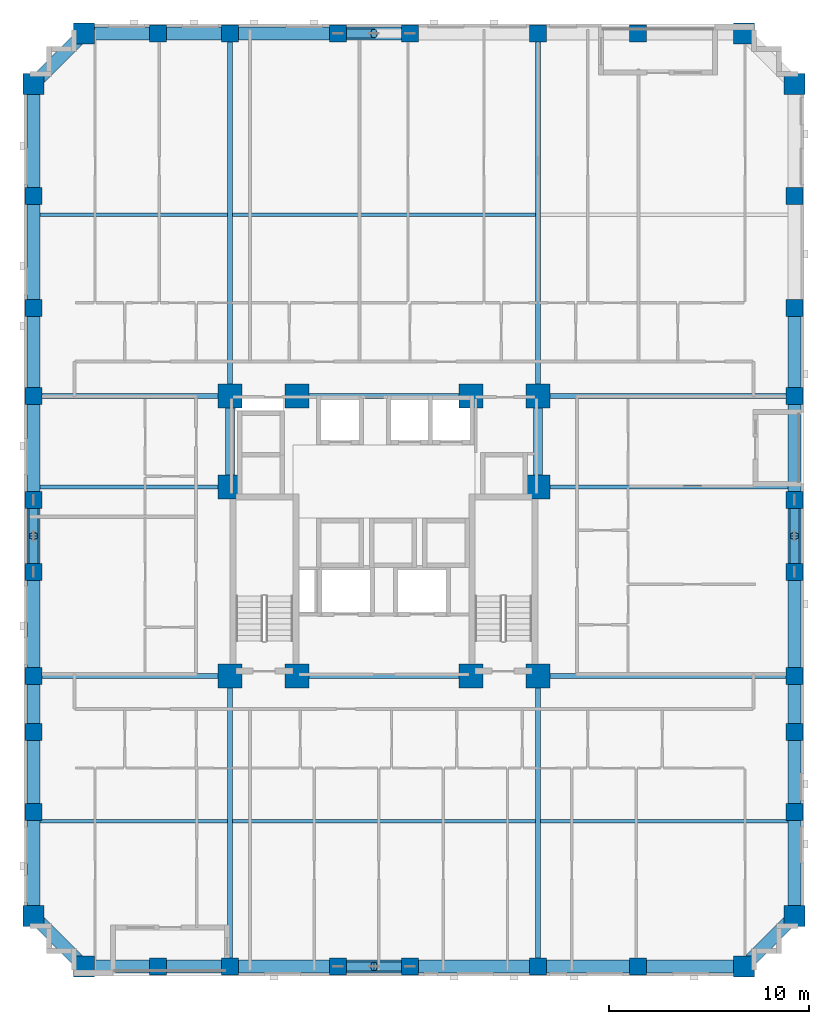
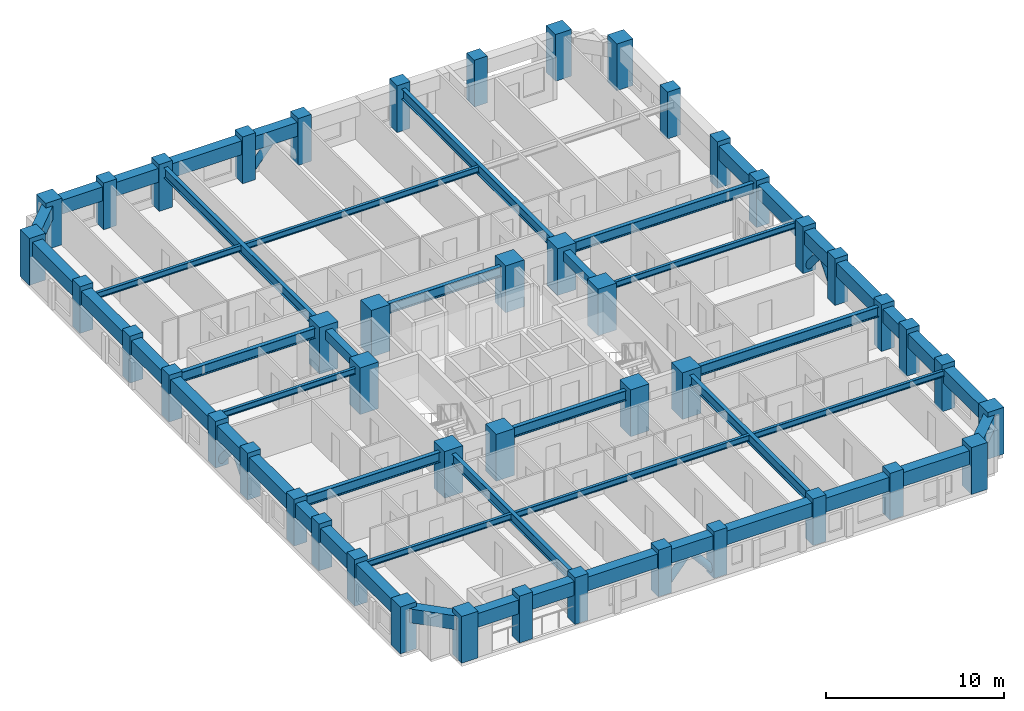
# One storey, part 1 of 14: 49 beams, 46 columns, 7 members.
"""IFC4 building model written with IfcOpenShell, lengths in metres."""

from ifc_helpers import new_model, si_unit, derived_unit, direction, frame, origin, origin_2d, place, context, subcontext, project, spatial, rectangle, hollow_circle, i_section, extrude, material, material_profile, profile_set, type_object, element, save


model = new_model("IFC4")

# Units and contexts
model_context = context("Model", 3, precision=1e-05, world=origin(), true_north=direction((0.0, 1.0)))
body_context = subcontext(model_context, "Body", "Model", "MODEL_VIEW")
ifc_project = project(units=[si_unit("LENGTHUNIT", "METRE"), si_unit("AREAUNIT", "SQUARE_METRE"), si_unit("VOLUMEUNIT", "CUBIC_METRE"), si_unit("PLANEANGLEUNIT", "RADIAN"), si_unit("MASSUNIT", "GRAM", prefix="KILO"), derived_unit("THERMALTRANSMITTANCEUNIT", [(si_unit("MASSUNIT", "GRAM", prefix="KILO"), 1), (si_unit("TIMEUNIT", "SECOND"), -3), (si_unit("THERMODYNAMICTEMPERATUREUNIT", "KELVIN"), -1)])], contexts=[model_context])

# Site, building, storey
site_placement = place(None, origin())
site = spatial("IfcSite", under=ifc_project, at=site_placement, CompositionType="ELEMENT")
building_placement = place(site_placement, origin())
building = spatial("IfcBuilding", under=site, at=building_placement, Name="Korrvale Station Residences", CompositionType="ELEMENT")
storey_placement = place(building_placement, frame((0.0, 0.0, 67.39990234375)))
storey = spatial("IfcBuildingStorey", under=building, at=storey_placement, Name="L18", CompositionType="ELEMENT", Elevation=67.39990234375)

# Columns
ifc_material_1 = material(Name="Concrete C70/85", Category="concrete")
ifc_material_profile_1 = material_profile(ifc_material_1, rectangle(XDim=1.050048828125, YDim=1.050048828125, at=origin_2d()), Name="RC1050x1050")
ifc_profile_set_1 = profile_set([ifc_material_profile_1], Name="Concrete C70/85")
column_type_1 = type_object("IfcColumnType", Name="COL-C-RC1050x1050-C7085", PredefinedType="COLUMN", material=ifc_profile_set_1)
for number, where, z_axis, x_axis, name in (
    (1, (10.5, 0.47998046875, 0.0), (0.0, 0.0, 1.0), (1.0, 0.0, 0.0), "L18 Bundled-Tube South Column 01"),
    (2, (43.5, 0.47998046875, 0.0), (0.0, 0.0, 1.0), (1.0, 0.0, 0.0), "L18 Bundled-Tube South Column 08"),
    (3, (10.5, 47.1201171875, 0.0), (0.0, 0.0, 1.0), (1.0, 0.0, 0.0), "L18 Bundled-Tube North Column 09"),
    (4, (43.5, 47.1201171875, 0.0), (0.0, 0.0, 1.0), (1.0, 0.0, 0.0), "L18 Bundled-Tube North Column 16"),
    (5, (7.97998046875, 3.0, 0.0), (0.0, 0.0, 1.0), (1.0, 0.0, 0.0), "L18 Bundled-Tube West Column 17"),
    (6, (7.97998046875, 44.60009765625, 0.0), (0.0, 0.0, 1.0), (1.0, 0.0, 0.0), "L18 Bundled-Tube West Column 26"),
    (7, (46.02001953125, 3.0, 0.0), (0.0, 0.0, 1.0), (1.0, 0.0, 0.0), "L18 Bundled-Tube East Column 27"),
    (8, (46.02001953125, 44.60009765625, 0.0), (0.0, 0.0, 1.0), (1.0, 0.0, 0.0), "L18 Bundled-Tube East Column 36"),
):
    element("IfcColumn", number, at=place(storey_placement, frame(where, z_axis=z_axis, x_axis=x_axis)), inside=storey, type_object=column_type_1, Name=name, PredefinedType="COLUMN", context=body_context, shape_type="SweptSolid", body=[
        extrude(rectangle(XDim=1.050048828125, YDim=1.050048828125, at=origin_2d()), origin(), (0.0, 0.0, 1.0), 3.2001953125),
    ])
ifc_material_profile_2 = material_profile(ifc_material_1, rectangle(XDim=1.199951171875, YDim=1.199951171875, at=origin_2d()), Name="RC1200x1200")
ifc_profile_set_2 = profile_set([ifc_material_profile_2], Name="Concrete C70/85")
column_type_2 = type_object("IfcColumnType", Name="COL-C-RC1200x1200-C7085", PredefinedType="COLUMN", material=ifc_profile_set_2)
for number, where, z_axis, x_axis, name in (
    (9, (17.800048828125, 15.0, 0.0), (0.0, 0.0, 1.0), (1.0, 0.0, 0.0), "L18 Core Column 01"),
    (10, (21.14990234375, 15.0, 0.0), (0.0, 0.0, 1.0), (1.0, 0.0, 0.0), "L18 Core Column 02"),
    (11, (29.85009765625, 15.0, 0.0), (0.0, 0.0, 1.0), (1.0, 0.0, 0.0), "L18 Core Column 03"),
    (12, (33.199951171875, 15.0, 0.0), (0.0, 0.0, 1.0), (1.0, 0.0, 0.0), "L18 Core Column 04"),
    (13, (17.800048828125, 29.0, 0.0), (0.0, 0.0, 1.0), (1.0, 0.0, 0.0), "L18 Core Column 05"),
    (14, (21.14990234375, 29.0, 0.0), (0.0, 0.0, 1.0), (1.0, 0.0, 0.0), "L18 Core Column 06"),
    (15, (29.85009765625, 29.0, 0.0), (0.0, 0.0, 1.0), (1.0, 0.0, 0.0), "L18 Core Column 07"),
    (16, (33.199951171875, 29.0, 0.0), (0.0, 0.0, 1.0), (1.0, 0.0, 0.0), "L18 Core Column 08"),
    (17, (17.800048828125, 24.449951171875, 0.0), (0.0, 0.0, 1.0), (1.0, 0.0, 0.0), "L18 Core Column 09"),
    (18, (33.199951171875, 24.449951171875, 0.0), (0.0, 0.0, 1.0), (1.0, 0.0, 0.0), "L18 Core Column 10"),
):
    element("IfcColumn", number, at=place(storey_placement, frame(where, z_axis=z_axis, x_axis=x_axis)), inside=storey, type_object=column_type_2, Name=name, PredefinedType="COLUMN", context=body_context, shape_type="SweptSolid", body=[
        extrude(rectangle(XDim=1.199951171875, YDim=1.199951171875, at=origin_2d()), origin(), (0.0, 0.0, 1.0), 3.2001953125),
    ])
ifc_material_profile_3 = material_profile(ifc_material_1, rectangle(XDim=0.85009765625, YDim=0.85009765625, at=origin_2d()), Name="RC850x850")
ifc_profile_set_3 = profile_set([ifc_material_profile_3], Name="Concrete C70/85")
column_type_3 = type_object("IfcColumnType", Name="COL-C-RC850x850-C7085", PredefinedType="COLUMN", material=ifc_profile_set_3)
for number, where, z_axis, x_axis, name in (
    (19, (14.199951171875, 0.47998046875, 0.0), (0.0, 0.0, 1.0), (1.0, 0.0, 0.0), "L18 Bundled-Tube South Column 02"),
    (20, (17.800048828125, 0.47998046875, 0.0), (0.0, 0.0, 1.0), (1.0, 0.0, 0.0), "L18 Bundled-Tube South Column 03"),
    (21, (23.199951171875, 0.47998046875, 0.0), (0.0, 0.0, 1.0), (1.0, 0.0, 0.0), "L18 Bundled-Tube South Column 04"),
    (22, (26.800048828125, 0.47998046875, 0.0), (0.0, 0.0, 1.0), (1.0, 0.0, 0.0), "L18 Bundled-Tube South Column 05"),
    (23, (33.199951171875, 0.47998046875, 0.0), (0.0, 0.0, 1.0), (1.0, 0.0, 0.0), "L18 Bundled-Tube South Column 06"),
    (24, (38.199951171875, 0.47998046875, 0.0), (0.0, 0.0, 1.0), (1.0, 0.0, 0.0), "L18 Bundled-Tube South Column 07"),
    (25, (14.199951171875, 47.1201171875, 0.0), (0.0, 0.0, 1.0), (1.0, 0.0, 0.0), "L18 Bundled-Tube North Column 10"),
    (26, (17.800048828125, 47.1201171875, 0.0), (0.0, 0.0, 1.0), (1.0, 0.0, 0.0), "L18 Bundled-Tube North Column 11"),
    (27, (23.199951171875, 47.1201171875, 0.0), (0.0, 0.0, 1.0), (1.0, 0.0, 0.0), "L18 Bundled-Tube North Column 12"),
    (28, (26.800048828125, 47.1201171875, 0.0), (0.0, 0.0, 1.0), (1.0, 0.0, 0.0), "L18 Bundled-Tube North Column 13"),
    (29, (33.199951171875, 47.1201171875, 0.0), (0.0, 0.0, 1.0), (1.0, 0.0, 0.0), "L18 Bundled-Tube North Column 14"),
    (30, (38.199951171875, 47.1201171875, 0.0), (0.0, 0.0, 1.0), (1.0, 0.0, 0.0), "L18 Bundled-Tube North Column 15"),
    (31, (7.97998046875, 8.199951171875, 0.0), (0.0, 0.0, 1.0), (1.0, 0.0, 0.0), "L18 Bundled-Tube West Column 18"),
    (32, (7.97998046875, 12.199951171875, 0.0), (0.0, 0.0, 1.0), (1.0, 0.0, 0.0), "L18 Bundled-Tube West Column 19"),
    (33, (7.97998046875, 15.0, 0.0), (0.0, 0.0, 1.0), (1.0, 0.0, 0.0), "L18 Bundled-Tube West Column 20"),
    (34, (7.97998046875, 20.199951171875, 0.0), (0.0, 0.0, 1.0), (1.0, 0.0, 0.0), "L18 Bundled-Tube West Column 21"),
    (35, (7.97998046875, 23.800048828125, 0.0), (0.0, 0.0, 1.0), (1.0, 0.0, 0.0), "L18 Bundled-Tube West Column 22"),
    (36, (7.97998046875, 29.0, 0.0), (0.0, 0.0, 1.0), (1.0, 0.0, 0.0), "L18 Bundled-Tube West Column 23"),
    (37, (7.97998046875, 33.39990234375, 0.0), (0.0, 0.0, 1.0), (1.0, 0.0, 0.0), "L18 Bundled-Tube West Column 24"),
    (38, (7.97998046875, 39.0, 0.0), (0.0, 0.0, 1.0), (1.0, 0.0, 0.0), "L18 Bundled-Tube West Column 25"),
    (39, (46.02001953125, 8.199951171875, 0.0), (0.0, 0.0, 1.0), (1.0, 0.0, 0.0), "L18 Bundled-Tube East Column 28"),
    (40, (46.02001953125, 12.199951171875, 0.0), (0.0, 0.0, 1.0), (1.0, 0.0, 0.0), "L18 Bundled-Tube East Column 29"),
    (41, (46.02001953125, 15.0, 0.0), (0.0, 0.0, 1.0), (1.0, 0.0, 0.0), "L18 Bundled-Tube East Column 30"),
    (42, (46.02001953125, 20.199951171875, 0.0), (0.0, 0.0, 1.0), (1.0, 0.0, 0.0), "L18 Bundled-Tube East Column 31"),
    (43, (46.02001953125, 23.800048828125, 0.0), (0.0, 0.0, 1.0), (1.0, 0.0, 0.0), "L18 Bundled-Tube East Column 32"),
    (44, (46.02001953125, 29.0, 0.0), (0.0, 0.0, 1.0), (1.0, 0.0, 0.0), "L18 Bundled-Tube East Column 33"),
    (45, (46.02001953125, 33.39990234375, 0.0), (0.0, 0.0, 1.0), (1.0, 0.0, 0.0), "L18 Bundled-Tube East Column 34"),
    (46, (46.02001953125, 39.0, 0.0), (0.0, 0.0, 1.0), (1.0, 0.0, 0.0), "L18 Bundled-Tube East Column 35"),
):
    element("IfcColumn", number, at=place(storey_placement, frame(where, z_axis=z_axis, x_axis=x_axis)), inside=storey, type_object=column_type_3, Name=name, PredefinedType="COLUMN", context=body_context, shape_type="SweptSolid", body=[
        extrude(rectangle(XDim=0.85009765625, YDim=0.85009765625, at=origin_2d()), origin(), (0.0, 0.0, 1.0), 3.2001953125),
    ])

# Beams
ifc_material_2 = material(Name="Steel S355", Category="steel")
ifc_material_profile_4 = material_profile(ifc_material_2, i_section(OverallWidth=0.256103515625, OverallDepth=0.693115234375, WebThickness=0.014404296875, FlangeThickness=0.023681640625, FilletRadius=0.02197265625, at=origin_2d()), Name="W690x170")
ifc_profile_set_4 = profile_set([ifc_material_profile_4], Name="Steel S355")
beam_type_1 = type_object("IfcBeamType", Name="BM-BM-W690x170-S355", PredefinedType="BEAM", material=ifc_profile_set_4)
for number, where, z_axis, x_axis, name in (
    (47, (17.800048828125, 0.47998046875, 2.53369140625), (0.0, 1.0, 0.0), (-1.0, 0.0, 0.0), "L18 Bundled-Tube Web Girder 01"),
    (48, (33.199951171875, 0.47998046875, 2.53369140625), (0.0, 1.0, 0.0), (-1.0, 0.0, 0.0), "L18 Bundled-Tube Web Girder 02"),
):
    element("IfcBeam", number, at=place(storey_placement, frame(where, z_axis=z_axis, x_axis=x_axis)), inside=storey, type_object=beam_type_1, Name=name, PredefinedType="BEAM", context=body_context, shape_type="SweptSolid", body=[
        extrude(i_section(OverallWidth=0.256103515625, OverallDepth=0.693115234375, WebThickness=0.014404296875, FlangeThickness=0.023681640625, FilletRadius=0.02197265625, at=origin_2d()), origin(), (0.0, 0.0, 1.0), 14.52001953125),
    ])
for number, where, z_axis, x_axis, name in (
    (49, (17.800048828125, 29.0, 2.53369140625), (0.0, 1.0, 0.0), (-1.0, 0.0, 0.0), "L18 Bundled-Tube Web Girder 03"),
    (50, (33.199951171875, 29.0, 2.53369140625), (0.0, 1.0, 0.0), (-1.0, 0.0, 0.0), "L18 Bundled-Tube Web Girder 04"),
):
    element("IfcBeam", number, at=place(storey_placement, frame(where, z_axis=z_axis, x_axis=x_axis)), inside=storey, type_object=beam_type_1, Name=name, PredefinedType="BEAM", context=body_context, shape_type="SweptSolid", body=[
        extrude(i_section(OverallWidth=0.256103515625, OverallDepth=0.693115234375, WebThickness=0.014404296875, FlangeThickness=0.023681640625, FilletRadius=0.02197265625, at=origin_2d()), origin(), (0.0, 0.0, 1.0), 18.1201171875),
    ])
beam_1_placement = place(storey_placement, frame((7.97998046875, 15.0, 2.53369140625), z_axis=(1.0, 0.0, 0.0), x_axis=(0.0, 1.0, 0.0)))
element("IfcBeam", 51, at=beam_1_placement, inside=storey, type_object=beam_type_1, Name="L18 Bundled-Tube Web Girder 05", PredefinedType="BEAM", context=body_context, shape_type="SweptSolid", body=[
    extrude(i_section(OverallWidth=0.256103515625, OverallDepth=0.693115234375, WebThickness=0.014404296875, FlangeThickness=0.023681640625, FilletRadius=0.02197265625, at=origin_2d()), origin(), (0.0, 0.0, 1.0), 9.820068359375),
])
beam_2_placement = place(storey_placement, frame((33.199951171875, 15.0, 2.53369140625), z_axis=(1.0, 0.0, 0.0), x_axis=(0.0, 1.0, 0.0)))
element("IfcBeam", 52, at=beam_2_placement, inside=storey, type_object=beam_type_1, Name="L18 Bundled-Tube Web Girder 06", PredefinedType="BEAM", context=body_context, shape_type="SweptSolid", body=[
    extrude(i_section(OverallWidth=0.256103515625, OverallDepth=0.693115234375, WebThickness=0.014404296875, FlangeThickness=0.023681640625, FilletRadius=0.02197265625, at=origin_2d()), origin(), (0.0, 0.0, 1.0), 12.820068359375),
])
beam_3_placement = place(storey_placement, frame((7.97998046875, 29.0, 2.53369140625), z_axis=(1.0, 0.0, 0.0), x_axis=(0.0, 1.0, 0.0)))
element("IfcBeam", 53, at=beam_3_placement, inside=storey, type_object=beam_type_1, Name="L18 Bundled-Tube Web Girder 07", PredefinedType="BEAM", context=body_context, shape_type="SweptSolid", body=[
    extrude(i_section(OverallWidth=0.256103515625, OverallDepth=0.693115234375, WebThickness=0.014404296875, FlangeThickness=0.023681640625, FilletRadius=0.02197265625, at=origin_2d()), origin(), (0.0, 0.0, 1.0), 9.820068359375),
])
beam_4_placement = place(storey_placement, frame((33.199951171875, 29.0, 2.53369140625), z_axis=(1.0, 0.0, 0.0), x_axis=(0.0, 1.0, 0.0)))
element("IfcBeam", 54, at=beam_4_placement, inside=storey, type_object=beam_type_1, Name="L18 Bundled-Tube Web Girder 08", PredefinedType="BEAM", context=body_context, shape_type="SweptSolid", body=[
    extrude(i_section(OverallWidth=0.256103515625, OverallDepth=0.693115234375, WebThickness=0.014404296875, FlangeThickness=0.023681640625, FilletRadius=0.02197265625, at=origin_2d()), origin(), (0.0, 0.0, 1.0), 12.820068359375),
])
for number, where, z_axis, x_axis, name in (
    (55, (21.14990234375, 15.0, 2.53369140625), (1.0, 0.0, 0.0), (0.0, 1.0, 0.0), "L18 Bundled-Tube Web Girder 09"),
    (56, (21.14990234375, 29.0, 2.53369140625), (1.0, 0.0, 0.0), (0.0, 1.0, 0.0), "L18 Bundled-Tube Web Girder 10"),
):
    element("IfcBeam", number, at=place(storey_placement, frame(where, z_axis=z_axis, x_axis=x_axis)), inside=storey, type_object=beam_type_1, Name=name, PredefinedType="BEAM", context=body_context, shape_type="SweptSolid", body=[
        extrude(i_section(OverallWidth=0.256103515625, OverallDepth=0.693115234375, WebThickness=0.014404296875, FlangeThickness=0.023681640625, FilletRadius=0.02197265625, at=origin_2d()), origin(), (0.0, 0.0, 1.0), 8.7001953125),
    ])
ifc_material_profile_5 = material_profile(ifc_material_2, i_section(OverallWidth=0.180908203125, OverallDepth=0.4169921875, WebThickness=0.010986328125, FlangeThickness=0.018310546875, FilletRadius=0.01611328125, at=origin_2d()), Name="W410x85")
ifc_profile_set_5 = profile_set([ifc_material_profile_5], Name="Steel S355")
beam_type_2 = type_object("IfcBeamType", Name="BM-JST-W410x85-S355", PredefinedType="JOIST", material=ifc_profile_set_5)
beam_5_placement = place(storey_placement, frame((8.304931640625, 7.739990234375, 2.671630859375), z_axis=(1.0, 0.0, 0.0), x_axis=(0.0, 1.0, 0.0)))
element("IfcBeam", 57, at=beam_5_placement, inside=storey, type_object=beam_type_2, Name="L18 Floor Framing Joist 01", PredefinedType="JOIST", context=body_context, shape_type="SweptSolid", body=[
    extrude(i_section(OverallWidth=0.180908203125, OverallDepth=0.4169921875, WebThickness=0.010986328125, FlangeThickness=0.018310546875, FilletRadius=0.01611328125, at=origin_2d()), origin(), (0.0, 0.0, 1.0), 9.3671875),
])
beam_6_placement = place(storey_placement, frame((17.927978515625, 7.739990234375, 2.671630859375), z_axis=(1.0, 0.0, 0.0), x_axis=(0.0, 1.0, 0.0)))
element("IfcBeam", 58, at=beam_6_placement, inside=storey, type_object=beam_type_2, Name="L18 Floor Framing Joist 02", PredefinedType="JOIST", context=body_context, shape_type="SweptSolid", body=[
    extrude(i_section(OverallWidth=0.180908203125, OverallDepth=0.4169921875, WebThickness=0.010986328125, FlangeThickness=0.018310546875, FilletRadius=0.01611328125, at=origin_2d()), origin(), (0.0, 0.0, 1.0), 15.14404296875),
])
beam_7_placement = place(storey_placement, frame((33.327880859375, 7.739990234375, 2.671630859375), z_axis=(1.0, 0.0, 0.0), x_axis=(0.0, 1.0, 0.0)))
element("IfcBeam", 59, at=beam_7_placement, inside=storey, type_object=beam_type_2, Name="L18 Floor Framing Joist 03", PredefinedType="JOIST", context=body_context, shape_type="SweptSolid", body=[
    extrude(i_section(OverallWidth=0.180908203125, OverallDepth=0.4169921875, WebThickness=0.010986328125, FlangeThickness=0.018310546875, FilletRadius=0.01611328125, at=origin_2d()), origin(), (0.0, 0.0, 1.0), 12.3671875),
])
beam_8_placement = place(storey_placement, frame((8.304931640625, 38.06005859375, 2.671630859375), z_axis=(1.0, 0.0, 0.0), x_axis=(0.0, 1.0, 0.0)))
element("IfcBeam", 60, at=beam_8_placement, inside=storey, type_object=beam_type_2, Name="L18 Floor Framing Joist 04", PredefinedType="JOIST", context=body_context, shape_type="SweptSolid", body=[
    extrude(i_section(OverallWidth=0.180908203125, OverallDepth=0.4169921875, WebThickness=0.010986328125, FlangeThickness=0.018310546875, FilletRadius=0.01611328125, at=origin_2d()), origin(), (0.0, 0.0, 1.0), 9.3671875),
])
beam_9_placement = place(storey_placement, frame((17.927978515625, 38.06005859375, 2.671630859375), z_axis=(1.0, 0.0, 0.0), x_axis=(0.0, 1.0, 0.0)))
element("IfcBeam", 61, at=beam_9_placement, inside=storey, type_object=beam_type_2, Name="L18 Floor Framing Joist 05", PredefinedType="JOIST", context=body_context, shape_type="SweptSolid", body=[
    extrude(i_section(OverallWidth=0.180908203125, OverallDepth=0.4169921875, WebThickness=0.010986328125, FlangeThickness=0.018310546875, FilletRadius=0.01611328125, at=origin_2d()), origin(), (0.0, 0.0, 1.0), 15.14404296875),
])
beam_10_placement = place(storey_placement, frame((33.425048828125, 24.449951171875, 2.671630859375), z_axis=(1.0, 0.0, 0.0), x_axis=(0.0, 1.0, 0.0)))
element("IfcBeam", 62, at=beam_10_placement, inside=storey, type_object=beam_type_2, Name="L18 Floor Framing Joist 07", PredefinedType="JOIST", context=body_context, shape_type="SweptSolid", body=[
    extrude(i_section(OverallWidth=0.180908203125, OverallDepth=0.4169921875, WebThickness=0.010986328125, FlangeThickness=0.018310546875, FilletRadius=0.01611328125, at=origin_2d()), origin(), (0.0, 0.0, 1.0), 12.27001953125),
])
beam_11_placement = place(storey_placement, frame((8.304931640625, 24.449951171875, 2.671630859375), z_axis=(1.0, 0.0, 0.0), x_axis=(0.0, 1.0, 0.0)))
element("IfcBeam", 63, at=beam_11_placement, inside=storey, type_object=beam_type_2, Name="L18 Floor Framing Joist 08", PredefinedType="JOIST", context=body_context, shape_type="SweptSolid", body=[
    extrude(i_section(OverallWidth=0.180908203125, OverallDepth=0.4169921875, WebThickness=0.010986328125, FlangeThickness=0.018310546875, FilletRadius=0.01611328125, at=origin_2d()), origin(), (0.0, 0.0, 1.0), 9.27001953125),
])
ifc_material_profile_6 = material_profile(ifc_material_1, rectangle(XDim=0.449951171875, YDim=0.64990234375, at=origin_2d()), Name="RCB450x650")
ifc_profile_set_6 = profile_set([ifc_material_profile_6], Name="Concrete C70/85")
beam_type_3 = type_object("IfcBeamType", Name="BM-LNT-RCB450x650-C7085", PredefinedType="LINTEL", material=ifc_profile_set_6)
for number, where, z_axis, x_axis, name in (
    (64, (17.800048828125, 24.449951171875, 2.55517578125), (0.0, 1.0, 0.0), (-1.0, 0.0, 0.0), "L18 Core Coupling Lintel 1"),
    (65, (33.199951171875, 24.449951171875, 2.55517578125), (0.0, 1.0, 0.0), (-1.0, 0.0, 0.0), "L18 Core Coupling Lintel 2"),
):
    element("IfcBeam", number, at=place(storey_placement, frame(where, z_axis=z_axis, x_axis=x_axis)), inside=storey, type_object=beam_type_3, Name=name, PredefinedType="LINTEL", context=body_context, shape_type="SweptSolid", body=[
        extrude(rectangle(XDim=0.449951171875, YDim=0.64990234375, at=origin_2d()), origin(), (0.0, 0.0, 1.0), 4.550048828125),
    ])
ifc_material_profile_7 = material_profile(ifc_material_1, rectangle(XDim=0.64990234375, YDim=0.949951171875, at=origin_2d()), Name="RCB650x950")
ifc_profile_set_7 = profile_set([ifc_material_profile_7], Name="Concrete C70/85")
beam_type_4 = type_object("IfcBeamType", Name="BM-SPB-RCB650x950-C7085", PredefinedType="SPANDREL", material=ifc_profile_set_7)
beam_12_placement = place(storey_placement, frame((10.5, 0.47998046875, 2.405029296875), z_axis=(1.0, 0.0, 0.0), x_axis=(0.0, 1.0, 0.0)))
element("IfcBeam", 66, at=beam_12_placement, inside=storey, type_object=beam_type_4, Name="L18 South Tube Spandrel 01", PredefinedType="SPANDREL", context=body_context, shape_type="SweptSolid", body=[
    extrude(rectangle(XDim=0.64990234375, YDim=0.949951171875, at=origin_2d()), origin(), (0.0, 0.0, 1.0), 3.699951171875),
])
beam_13_placement = place(storey_placement, frame((14.199951171875, 0.47998046875, 2.405029296875), z_axis=(1.0, 0.0, 0.0), x_axis=(0.0, 1.0, 0.0)))
element("IfcBeam", 67, at=beam_13_placement, inside=storey, type_object=beam_type_4, Name="L18 South Tube Spandrel 02", PredefinedType="SPANDREL", context=body_context, shape_type="SweptSolid", body=[
    extrude(rectangle(XDim=0.64990234375, YDim=0.949951171875, at=origin_2d()), origin(), (0.0, 0.0, 1.0), 3.60009765625),
])
beam_14_placement = place(storey_placement, frame((17.800048828125, 0.47998046875, 2.405029296875), z_axis=(1.0, 0.0, 0.0), x_axis=(0.0, 1.0, 0.0)))
element("IfcBeam", 68, at=beam_14_placement, inside=storey, type_object=beam_type_4, Name="L18 South Tube Spandrel 03", PredefinedType="SPANDREL", context=body_context, shape_type="SweptSolid", body=[
    extrude(rectangle(XDim=0.64990234375, YDim=0.949951171875, at=origin_2d()), origin(), (0.0, 0.0, 1.0), 5.39990234375),
])
beam_15_placement = place(storey_placement, frame((23.199951171875, 0.47998046875, 2.405029296875), z_axis=(1.0, 0.0, 0.0), x_axis=(0.0, 1.0, 0.0)))
element("IfcBeam", 69, at=beam_15_placement, inside=storey, type_object=beam_type_4, Name="L18 South Tube Spandrel 04", PredefinedType="SPANDREL", context=body_context, shape_type="SweptSolid", body=[
    extrude(rectangle(XDim=0.64990234375, YDim=0.949951171875, at=origin_2d()), origin(), (0.0, 0.0, 1.0), 3.60009765625),
])
beam_16_placement = place(storey_placement, frame((26.800048828125, 0.47998046875, 2.405029296875), z_axis=(1.0, 0.0, 0.0), x_axis=(0.0, 1.0, 0.0)))
element("IfcBeam", 70, at=beam_16_placement, inside=storey, type_object=beam_type_4, Name="L18 South Tube Spandrel 05", PredefinedType="SPANDREL", context=body_context, shape_type="SweptSolid", body=[
    extrude(rectangle(XDim=0.64990234375, YDim=0.949951171875, at=origin_2d()), origin(), (0.0, 0.0, 1.0), 6.39990234375),
])
beam_17_placement = place(storey_placement, frame((33.199951171875, 0.47998046875, 2.405029296875), z_axis=(1.0, 0.0, 0.0), x_axis=(0.0, 1.0, 0.0)))
element("IfcBeam", 71, at=beam_17_placement, inside=storey, type_object=beam_type_4, Name="L18 South Tube Spandrel 06", PredefinedType="SPANDREL", context=body_context, shape_type="SweptSolid", body=[
    extrude(rectangle(XDim=0.64990234375, YDim=0.949951171875, at=origin_2d()), origin(), (0.0, 0.0, 1.0), 5.0),
])
beam_18_placement = place(storey_placement, frame((38.199951171875, 0.47998046875, 2.405029296875), z_axis=(1.0, 0.0, 0.0), x_axis=(0.0, 1.0, 0.0)))
element("IfcBeam", 72, at=beam_18_placement, inside=storey, type_object=beam_type_4, Name="L18 South Tube Spandrel 07", PredefinedType="SPANDREL", context=body_context, shape_type="SweptSolid", body=[
    extrude(rectangle(XDim=0.64990234375, YDim=0.949951171875, at=origin_2d()), origin(), (0.0, 0.0, 1.0), 5.300048828125),
])
beam_19_placement = place(storey_placement, frame((10.5, 47.1201171875, 2.405029296875), z_axis=(1.0, 0.0, 0.0), x_axis=(0.0, 1.0, 0.0)))
element("IfcBeam", 73, at=beam_19_placement, inside=storey, type_object=beam_type_4, Name="L18 North Tube Spandrel 08", PredefinedType="SPANDREL", context=body_context, shape_type="SweptSolid", body=[
    extrude(rectangle(XDim=0.64990234375, YDim=0.949951171875, at=origin_2d()), origin(), (0.0, 0.0, 1.0), 3.699951171875),
])
beam_20_placement = place(storey_placement, frame((14.199951171875, 47.1201171875, 2.405029296875), z_axis=(1.0, 0.0, 0.0), x_axis=(0.0, 1.0, 0.0)))
element("IfcBeam", 74, at=beam_20_placement, inside=storey, type_object=beam_type_4, Name="L18 North Tube Spandrel 09", PredefinedType="SPANDREL", context=body_context, shape_type="SweptSolid", body=[
    extrude(rectangle(XDim=0.64990234375, YDim=0.949951171875, at=origin_2d()), origin(), (0.0, 0.0, 1.0), 3.60009765625),
])
beam_21_placement = place(storey_placement, frame((17.800048828125, 47.1201171875, 2.405029296875), z_axis=(1.0, 0.0, 0.0), x_axis=(0.0, 1.0, 0.0)))
element("IfcBeam", 75, at=beam_21_placement, inside=storey, type_object=beam_type_4, Name="L18 North Tube Spandrel 10", PredefinedType="SPANDREL", context=body_context, shape_type="SweptSolid", body=[
    extrude(rectangle(XDim=0.64990234375, YDim=0.949951171875, at=origin_2d()), origin(), (0.0, 0.0, 1.0), 5.39990234375),
])
beam_22_placement = place(storey_placement, frame((23.199951171875, 47.1201171875, 2.405029296875), z_axis=(1.0, 0.0, 0.0), x_axis=(0.0, 1.0, 0.0)))
element("IfcBeam", 76, at=beam_22_placement, inside=storey, type_object=beam_type_4, Name="L18 North Tube Spandrel 11", PredefinedType="SPANDREL", context=body_context, shape_type="SweptSolid", body=[
    extrude(rectangle(XDim=0.64990234375, YDim=0.949951171875, at=origin_2d()), origin(), (0.0, 0.0, 1.0), 3.60009765625),
])
beam_23_placement = place(storey_placement, frame((7.97998046875, 3.0, 2.405029296875), z_axis=(0.0, 1.0, 0.0), x_axis=(-1.0, 0.0, 0.0)))
element("IfcBeam", 77, at=beam_23_placement, inside=storey, type_object=beam_type_4, Name="L18 West Tube Spandrel 15", PredefinedType="SPANDREL", context=body_context, shape_type="SweptSolid", body=[
    extrude(rectangle(XDim=0.64990234375, YDim=0.949951171875, at=origin_2d()), origin(), (0.0, 0.0, 1.0), 5.199951171875),
])
beam_24_placement = place(storey_placement, frame((7.97998046875, 8.199951171875, 2.405029296875), z_axis=(0.0, 1.0, 0.0), x_axis=(-1.0, 0.0, 0.0)))
element("IfcBeam", 78, at=beam_24_placement, inside=storey, type_object=beam_type_4, Name="L18 West Tube Spandrel 16", PredefinedType="SPANDREL", context=body_context, shape_type="SweptSolid", body=[
    extrude(rectangle(XDim=0.64990234375, YDim=0.949951171875, at=origin_2d()), origin(), (0.0, 0.0, 1.0), 4.0),
])
beam_25_placement = place(storey_placement, frame((7.97998046875, 12.199951171875, 2.405029296875), z_axis=(0.0, 1.0, 0.0), x_axis=(-1.0, 0.0, 0.0)))
element("IfcBeam", 79, at=beam_25_placement, inside=storey, type_object=beam_type_4, Name="L18 West Tube Spandrel 17", PredefinedType="SPANDREL", context=body_context, shape_type="SweptSolid", body=[
    extrude(rectangle(XDim=0.64990234375, YDim=0.949951171875, at=origin_2d()), origin(), (0.0, 0.0, 1.0), 2.800048828125),
])
beam_26_placement = place(storey_placement, frame((7.97998046875, 15.0, 2.405029296875), z_axis=(0.0, 1.0, 0.0), x_axis=(-1.0, 0.0, 0.0)))
element("IfcBeam", 80, at=beam_26_placement, inside=storey, type_object=beam_type_4, Name="L18 West Tube Spandrel 18", PredefinedType="SPANDREL", context=body_context, shape_type="SweptSolid", body=[
    extrude(rectangle(XDim=0.64990234375, YDim=0.949951171875, at=origin_2d()), origin(), (0.0, 0.0, 1.0), 5.199951171875),
])
beam_27_placement = place(storey_placement, frame((7.97998046875, 20.199951171875, 2.405029296875), z_axis=(0.0, 1.0, 0.0), x_axis=(-1.0, 0.0, 0.0)))
element("IfcBeam", 81, at=beam_27_placement, inside=storey, type_object=beam_type_4, Name="L18 West Tube Spandrel 19", PredefinedType="SPANDREL", context=body_context, shape_type="SweptSolid", body=[
    extrude(rectangle(XDim=0.64990234375, YDim=0.949951171875, at=origin_2d()), origin(), (0.0, 0.0, 1.0), 3.60009765625),
])
beam_28_placement = place(storey_placement, frame((7.97998046875, 23.800048828125, 2.405029296875), z_axis=(0.0, 1.0, 0.0), x_axis=(-1.0, 0.0, 0.0)))
element("IfcBeam", 82, at=beam_28_placement, inside=storey, type_object=beam_type_4, Name="L18 West Tube Spandrel 20", PredefinedType="SPANDREL", context=body_context, shape_type="SweptSolid", body=[
    extrude(rectangle(XDim=0.64990234375, YDim=0.949951171875, at=origin_2d()), origin(), (0.0, 0.0, 1.0), 5.199951171875),
])
beam_29_placement = place(storey_placement, frame((7.97998046875, 29.0, 2.405029296875), z_axis=(0.0, 1.0, 0.0), x_axis=(-1.0, 0.0, 0.0)))
element("IfcBeam", 83, at=beam_29_placement, inside=storey, type_object=beam_type_4, Name="L18 West Tube Spandrel 21", PredefinedType="SPANDREL", context=body_context, shape_type="SweptSolid", body=[
    extrude(rectangle(XDim=0.64990234375, YDim=0.949951171875, at=origin_2d()), origin(), (0.0, 0.0, 1.0), 4.39990234375),
])
for number, where, z_axis, x_axis, name in (
    (84, (7.97998046875, 33.39990234375, 2.405029296875), (0.0, 1.0, 0.0), (-1.0, 0.0, 0.0), "L18 West Tube Spandrel 22"),
    (85, (7.97998046875, 39.0, 2.405029296875), (0.0, 1.0, 0.0), (-1.0, 0.0, 0.0), "L18 West Tube Spandrel 23"),
):
    element("IfcBeam", number, at=place(storey_placement, frame(where, z_axis=z_axis, x_axis=x_axis)), inside=storey, type_object=beam_type_4, Name=name, PredefinedType="SPANDREL", context=body_context, shape_type="SweptSolid", body=[
        extrude(rectangle(XDim=0.64990234375, YDim=0.949951171875, at=origin_2d()), origin(), (0.0, 0.0, 1.0), 5.60009765625),
    ])
beam_30_placement = place(storey_placement, frame((46.02001953125, 3.0, 2.405029296875), z_axis=(0.0, 1.0, 0.0), x_axis=(-1.0, 0.0, 0.0)))
element("IfcBeam", 86, at=beam_30_placement, inside=storey, type_object=beam_type_4, Name="L18 East Tube Spandrel 24", PredefinedType="SPANDREL", context=body_context, shape_type="SweptSolid", body=[
    extrude(rectangle(XDim=0.64990234375, YDim=0.949951171875, at=origin_2d()), origin(), (0.0, 0.0, 1.0), 5.199951171875),
])
beam_31_placement = place(storey_placement, frame((46.02001953125, 8.199951171875, 2.405029296875), z_axis=(0.0, 1.0, 0.0), x_axis=(-1.0, 0.0, 0.0)))
element("IfcBeam", 87, at=beam_31_placement, inside=storey, type_object=beam_type_4, Name="L18 East Tube Spandrel 25", PredefinedType="SPANDREL", context=body_context, shape_type="SweptSolid", body=[
    extrude(rectangle(XDim=0.64990234375, YDim=0.949951171875, at=origin_2d()), origin(), (0.0, 0.0, 1.0), 4.0),
])
beam_32_placement = place(storey_placement, frame((46.02001953125, 12.199951171875, 2.405029296875), z_axis=(0.0, 1.0, 0.0), x_axis=(-1.0, 0.0, 0.0)))
element("IfcBeam", 88, at=beam_32_placement, inside=storey, type_object=beam_type_4, Name="L18 East Tube Spandrel 26", PredefinedType="SPANDREL", context=body_context, shape_type="SweptSolid", body=[
    extrude(rectangle(XDim=0.64990234375, YDim=0.949951171875, at=origin_2d()), origin(), (0.0, 0.0, 1.0), 2.800048828125),
])
beam_33_placement = place(storey_placement, frame((46.02001953125, 15.0, 2.405029296875), z_axis=(0.0, 1.0, 0.0), x_axis=(-1.0, 0.0, 0.0)))
element("IfcBeam", 89, at=beam_33_placement, inside=storey, type_object=beam_type_4, Name="L18 East Tube Spandrel 27", PredefinedType="SPANDREL", context=body_context, shape_type="SweptSolid", body=[
    extrude(rectangle(XDim=0.64990234375, YDim=0.949951171875, at=origin_2d()), origin(), (0.0, 0.0, 1.0), 5.199951171875),
])
beam_34_placement = place(storey_placement, frame((46.02001953125, 20.199951171875, 2.405029296875), z_axis=(0.0, 1.0, 0.0), x_axis=(-1.0, 0.0, 0.0)))
element("IfcBeam", 90, at=beam_34_placement, inside=storey, type_object=beam_type_4, Name="L18 East Tube Spandrel 28", PredefinedType="SPANDREL", context=body_context, shape_type="SweptSolid", body=[
    extrude(rectangle(XDim=0.64990234375, YDim=0.949951171875, at=origin_2d()), origin(), (0.0, 0.0, 1.0), 3.60009765625),
])
beam_35_placement = place(storey_placement, frame((46.02001953125, 23.800048828125, 2.405029296875), z_axis=(0.0, 1.0, 0.0), x_axis=(-1.0, 0.0, 0.0)))
element("IfcBeam", 91, at=beam_35_placement, inside=storey, type_object=beam_type_4, Name="L18 East Tube Spandrel 29", PredefinedType="SPANDREL", context=body_context, shape_type="SweptSolid", body=[
    extrude(rectangle(XDim=0.64990234375, YDim=0.949951171875, at=origin_2d()), origin(), (0.0, 0.0, 1.0), 5.199951171875),
])
beam_36_placement = place(storey_placement, frame((46.02001953125, 29.0, 2.405029296875), z_axis=(0.0, 1.0, 0.0), x_axis=(-1.0, 0.0, 0.0)))
element("IfcBeam", 92, at=beam_36_placement, inside=storey, type_object=beam_type_4, Name="L18 East Tube Spandrel 30", PredefinedType="SPANDREL", context=body_context, shape_type="SweptSolid", body=[
    extrude(rectangle(XDim=0.64990234375, YDim=0.949951171875, at=origin_2d()), origin(), (0.0, 0.0, 1.0), 4.39990234375),
])
for number, where, z_axis, x_axis, name in (
    (93, (10.5, 0.47998046875, 2.405029296875), (-0.707106781187, 0.707106781187, 0.0), (-0.707106781187, -0.707106781187, 0.0), "L18 Serrated Corner Spandrel 33"),
    (94, (43.5, 0.47998046875, 2.405029296875), (0.707106781187, 0.707106781187, 0.0), (-0.707106781187, 0.707106781187, 0.0), "L18 Serrated Corner Spandrel 34"),
    (95, (10.5, 47.1201171875, 2.405029296875), (-0.707106781187, -0.707106781187, 0.0), (0.707106781187, -0.707106781187, 0.0), "L18 Serrated Corner Spandrel 36"),
):
    element("IfcBeam", number, at=place(storey_placement, frame(where, z_axis=z_axis, x_axis=x_axis)), inside=storey, type_object=beam_type_4, Name=name, PredefinedType="SPANDREL", context=body_context, shape_type="SweptSolid", body=[
        extrude(rectangle(XDim=0.64990234375, YDim=0.949951171875, at=origin_2d()), origin(), (0.0, 0.0, 1.0), 3.56396484375),
    ])

# Members
ifc_material_profile_8 = material_profile(ifc_material_2, hollow_circle(Radius=0.228515625, WallThickness=0.01904296875, at=origin_2d()), Name="HSS457x19")
ifc_profile_set_8 = profile_set([ifc_material_profile_8], Name="Steel S355")
member_type = type_object("IfcMemberType", Name="MBR-BR-HSS457x19", PredefinedType="BRACE", material=ifc_profile_set_8)
for number, where, z_axis, x_axis, name in (
    (96, (23.199951171875, 0.47998046875, 0.02001953125), (0.645447644234, 0.0, 0.763804515929), (0.0, 1.0, 0.0), "L18 S Perimeter Tube Wind Brace 1"),
    (97, (26.800048828125, 0.47998046875, 0.02001953125), (-0.645447644234, 0.0, 0.763804515929), (0.0, -1.0, 0.0), "L18 S Perimeter Tube Wind Brace 2"),
    (98, (23.199951171875, 47.1201171875, 0.02001953125), (0.645447644234, 0.0, 0.763804515929), (0.0, 1.0, 0.0), "L18 N Perimeter Tube Wind Brace 1"),
    (99, (7.97998046875, 20.199951171875, 0.02001953125), (0.0, 0.645447644234, 0.763804515929), (-1.0, 0.0, 0.0), "L18 W Perimeter Tube Wind Brace 1"),
    (100, (7.97998046875, 23.800048828125, 0.02001953125), (0.0, -0.645447644234, 0.763804515929), (1.0, 0.0, 0.0), "L18 W Perimeter Tube Wind Brace 2"),
    (101, (46.02001953125, 20.199951171875, 0.02001953125), (0.0, 0.645447644234, 0.763804515929), (-1.0, 0.0, 0.0), "L18 E Perimeter Tube Wind Brace 1"),
    (102, (46.02001953125, 23.800048828125, 0.02001953125), (0.0, -0.645447644234, 0.763804515929), (1.0, 0.0, 0.0), "L18 E Perimeter Tube Wind Brace 2"),
):
    element("IfcMember", number, at=place(storey_placement, frame(where, z_axis=z_axis, x_axis=x_axis)), inside=storey, type_object=member_type, Name=name, PredefinedType="BRACE", context=body_context, shape_type="SweptSolid", body=[
        extrude(hollow_circle(Radius=0.228515625, WallThickness=0.01904296875, at=origin_2d()), origin(), (0.0, 0.0, 1.0), 2.788818359375),
    ])

save(model, "model.ifc")
